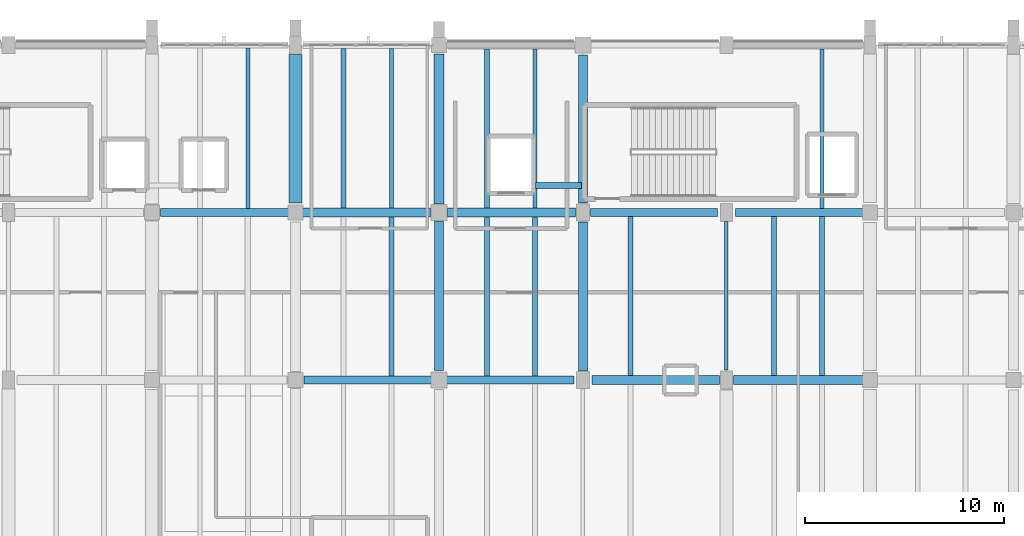
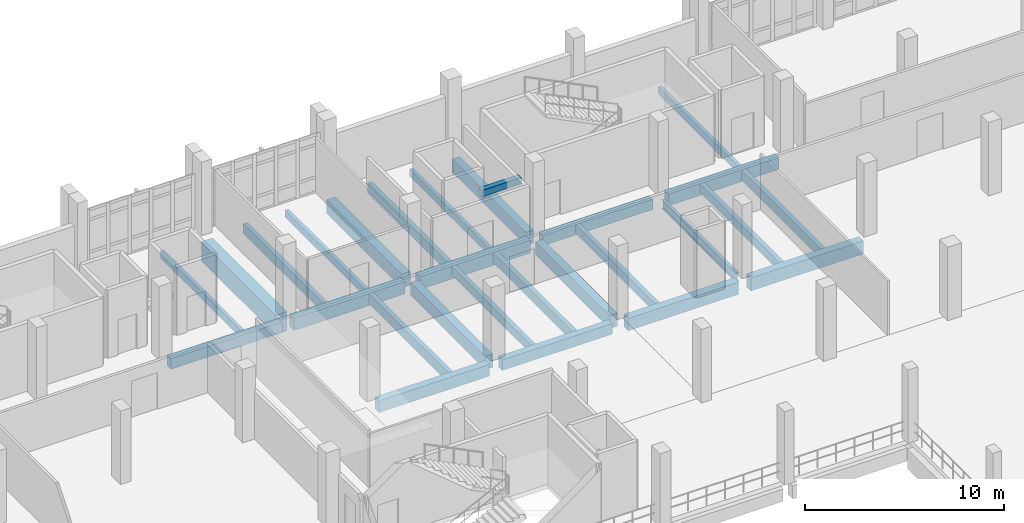
# One storey, part 64 of 124: 28 beams.
"""IFC4 building model written with IfcOpenShell, lengths in metres."""

from ifc_helpers import new_model, si_unit, direction, frame, origin, origin_2d, place, context, subcontext, project, spatial, rectangle, i_section, extrude, material, material_profile, profile_set, type_object, element, save


model = new_model("IFC4")

# Units and contexts
model_context = context("Model", 3, precision=1e-05, world=origin(), true_north=direction((0.0, 1.0)))
body_context = subcontext(model_context, "Body", "Model", "MODEL_VIEW")
ifc_project = project(units=[si_unit("LENGTHUNIT", "METRE"), si_unit("AREAUNIT", "SQUARE_METRE"), si_unit("VOLUMEUNIT", "CUBIC_METRE"), si_unit("PLANEANGLEUNIT", "RADIAN"), si_unit("MASSUNIT", "GRAM", prefix="KILO")], contexts=[model_context])

# Site, building, storey
site_placement = place(None, origin())
site = spatial("IfcSite", under=ifc_project, at=site_placement, CompositionType="ELEMENT")
building_placement = place(site_placement, origin())
building = spatial("IfcBuilding", under=site, at=building_placement, Name="Kalluvel Institute of Natural Sciences", CompositionType="ELEMENT")
storey_placement = place(building_placement, frame((0.0, 0.0, 9.89990234375)))
storey = spatial("IfcBuildingStorey", under=building, at=storey_placement, Name="L02", CompositionType="ELEMENT", Elevation=9.89990234375)

# Beams
ifc_material_1 = material(Name="Steel E350 Grade 350", Category="steel")
ifc_material_profile_1 = material_profile(ifc_material_1, i_section(OverallWidth=0.18994140625, OverallDepth=0.550048828125, WebThickness=0.01123046875, FlangeThickness=0.019287109375, FilletRadius=0.01806640625, at=origin_2d()), Name="ISMB 550")
ifc_profile_set_1 = profile_set([ifc_material_profile_1], Name="Steel E350 Grade 350")
beam_type_1 = type_object("IfcBeamType", Name="BM-ISMB550", PredefinedType="BEAM", material=ifc_profile_set_1)
beam_1_placement = place(storey_placement, frame((71.60009765625, 111.699951171875, -0.594970703125), z_axis=(0.0, 1.0, 0.0), x_axis=(-1.0, 0.0, 0.0)))
element("IfcBeam", 1, at=beam_1_placement, inside=storey, type_object=beam_type_1, Name="L02 girder GIR-L02-NS-X716-Y1112", PredefinedType="BEAM", context=body_context, shape_type="SweptSolid", body=[
    extrude(i_section(OverallWidth=0.18994140625, OverallDepth=0.550048828125, WebThickness=0.01123046875, FlangeThickness=0.019287109375, FilletRadius=0.01806640625, at=origin_2d()), origin(), (0.0, 0.0, 1.0), 7.449951171875),
])
ifc_material_2 = material(Name="Concrete M40", Category="concrete")
ifc_material_profile_2 = material_profile(ifc_material_2, rectangle(XDim=0.3798828125, YDim=0.639892578125, at=origin_2d()), Name="RCB 380x640")
ifc_profile_set_2 = profile_set([ifc_material_profile_2], Name="Concrete M40")
beam_type_2 = type_object("IfcBeamType", Name="BM-RC380x640", PredefinedType="BEAM", material=ifc_profile_set_2)
beam_2_placement = place(storey_placement, frame((64.77490234375, 119.60009765625, -0.639892578125), z_axis=(1.0, 0.0, 0.0), x_axis=(0.0, 1.0, 0.0)))
element("IfcBeam", 2, at=beam_2_placement, inside=storey, type_object=beam_type_2, Name="L02 girder GIR-L02-EW-X644-Y1196", PredefinedType="BEAM", context=body_context, shape_type="SweptSolid", body=[
    extrude(rectangle(XDim=0.3798828125, YDim=0.639892578125, at=origin_2d()), origin(), (0.0, 0.0, 1.0), 6.375),
])
ifc_material_profile_3 = material_profile(ifc_material_2, rectangle(XDim=0.39990234375, YDim=0.64990234375, at=origin_2d()), Name="RCB 400x650")
ifc_profile_set_3 = profile_set([ifc_material_profile_3], Name="Concrete M40")
beam_type_3 = type_object("IfcBeamType", Name="BM-RC400x650", PredefinedType="BEAM", material=ifc_profile_set_3)
beam_3_placement = place(storey_placement, frame((57.574951171875, 111.199951171875, -0.64501953125), z_axis=(1.0, 0.0, 0.0), x_axis=(0.0, 1.0, 0.0)))
element("IfcBeam", 3, at=beam_3_placement, inside=storey, type_object=beam_type_3, Name="L02 girder GIR-L02-EW-X572-Y1112", PredefinedType="BEAM", context=body_context, shape_type="SweptSolid", body=[
    extrude(rectangle(XDim=0.39990234375, YDim=0.64990234375, at=origin_2d()), origin(), (0.0, 0.0, 1.0), 6.375),
])
beam_4_placement = place(storey_placement, frame((43.22509765625, 119.60009765625, -0.64501953125), z_axis=(1.0, 0.0, 0.0), x_axis=(0.0, 1.0, 0.0)))
element("IfcBeam", 4, at=beam_4_placement, inside=storey, type_object=beam_type_3, Name="L02 girder GIR-L02-EW-X428-Y1196", PredefinedType="BEAM", context=body_context, shape_type="SweptSolid", body=[
    extrude(rectangle(XDim=0.39990234375, YDim=0.64990234375, at=origin_2d()), origin(), (0.0, 0.0, 1.0), 6.449951171875),
])
ifc_material_profile_4 = material_profile(ifc_material_2, rectangle(XDim=0.419921875, YDim=0.719970703125, at=origin_2d()), Name="RCB 420x720")
ifc_profile_set_4 = profile_set([ifc_material_profile_4], Name="Concrete M40")
beam_type_4 = type_object("IfcBeamType", Name="BM-RC420x720", PredefinedType="BEAM", material=ifc_profile_set_4)
for number, where, z_axis, x_axis, name in (
    (5, (50.425048828125, 111.199951171875, -0.679931640625), (1.0, 0.0, 0.0), (0.0, 1.0, 0.0), "L02 girder GIR-L02-EW-X500-Y1112"),
    (6, (72.050048828125, 119.60009765625, -0.679931640625), (1.0, 0.0, 0.0), (0.0, 1.0, 0.0), "L02 girder GIR-L02-EW-X716-Y1196"),
):
    element("IfcBeam", number, at=place(storey_placement, frame(where, z_axis=z_axis, x_axis=x_axis)), inside=storey, type_object=beam_type_4, Name=name, PredefinedType="BEAM", context=body_context, shape_type="SweptSolid", body=[
        extrude(rectangle(XDim=0.419921875, YDim=0.719970703125, at=origin_2d()), origin(), (0.0, 0.0, 1.0), 6.39990234375),
    ])
ifc_material_profile_5 = material_profile(ifc_material_2, rectangle(XDim=0.449951171875, YDim=0.75, at=origin_2d()), Name="RCB 450x750")
ifc_profile_set_5 = profile_set([ifc_material_profile_5], Name="Concrete M40")
beam_type_5 = type_object("IfcBeamType", Name="BM-RC450x750", PredefinedType="BEAM", material=ifc_profile_set_5)
beam_5_placement = place(storey_placement, frame((64.85009765625, 111.199951171875, -0.69482421875), z_axis=(1.0, 0.0, 0.0), x_axis=(0.0, 1.0, 0.0)))
element("IfcBeam", 7, at=beam_5_placement, inside=storey, type_object=beam_type_5, Name="L02 girder GIR-L02-EW-X644-Y1112", PredefinedType="BEAM", context=body_context, shape_type="SweptSolid", body=[
    extrude(rectangle(XDim=0.449951171875, YDim=0.75, at=origin_2d()), origin(), (0.0, 0.0, 1.0), 6.39990234375),
])
beam_6_placement = place(storey_placement, frame((50.324951171875, 119.60009765625, -0.69482421875), z_axis=(1.0, 0.0, 0.0), x_axis=(0.0, 1.0, 0.0)))
element("IfcBeam", 8, at=beam_6_placement, inside=storey, type_object=beam_type_5, Name="L02 girder GIR-L02-EW-X500-Y1196", PredefinedType="BEAM", context=body_context, shape_type="SweptSolid", body=[
    extrude(rectangle(XDim=0.449951171875, YDim=0.75, at=origin_2d()), origin(), (0.0, 0.0, 1.0), 6.449951171875),
])
ifc_material_profile_6 = material_profile(ifc_material_2, rectangle(XDim=0.449951171875, YDim=0.800048828125, at=origin_2d()), Name="RCB 450x800")
ifc_profile_set_6 = profile_set([ifc_material_profile_6], Name="Concrete M40")
beam_type_6 = type_object("IfcBeamType", Name="BM-RC450x800", PredefinedType="BEAM", material=ifc_profile_set_6)
beam_7_placement = place(storey_placement, frame((71.949951171875, 111.199951171875, -0.719970703125), z_axis=(1.0, 0.0, 0.0), x_axis=(0.0, 1.0, 0.0)))
element("IfcBeam", 9, at=beam_7_placement, inside=storey, type_object=beam_type_6, Name="L02 girder GIR-L02-EW-X716-Y1112", PredefinedType="BEAM", context=body_context, shape_type="SweptSolid", body=[
    extrude(rectangle(XDim=0.449951171875, YDim=0.800048828125, at=origin_2d()), origin(), (0.0, 0.0, 1.0), 6.525146484375),
])
beam_8_placement = place(storey_placement, frame((57.625, 119.60009765625, -0.719970703125), z_axis=(1.0, 0.0, 0.0), x_axis=(0.0, 1.0, 0.0)))
element("IfcBeam", 10, at=beam_8_placement, inside=storey, type_object=beam_type_6, Name="L02 girder GIR-L02-EW-X572-Y1196", PredefinedType="BEAM", context=body_context, shape_type="SweptSolid", body=[
    extrude(rectangle(XDim=0.449951171875, YDim=0.800048828125, at=origin_2d()), origin(), (0.0, 0.0, 1.0), 6.39990234375),
])
beam_9_placement = place(storey_placement, frame((57.199951171875, 111.675048828125, -0.719970703125), z_axis=(0.0, 1.0, 0.0), x_axis=(-1.0, 0.0, 0.0)))
element("IfcBeam", 11, at=beam_9_placement, inside=storey, type_object=beam_type_6, Name="L02 girder GIR-L02-NS-X572-Y1112", PredefinedType="BEAM", context=body_context, shape_type="SweptSolid", body=[
    extrude(rectangle(XDim=0.449951171875, YDim=0.800048828125, at=origin_2d()), origin(), (0.0, 0.0, 1.0), 7.5),
])
beam_10_placement = place(storey_placement, frame((64.39990234375, 111.64990234375, -0.719970703125), z_axis=(0.0, 1.0, 0.0), x_axis=(-1.0, 0.0, 0.0)))
element("IfcBeam", 12, at=beam_10_placement, inside=storey, type_object=beam_type_6, Name="L02 girder GIR-L02-NS-X644-Y1112", PredefinedType="BEAM", context=body_context, shape_type="SweptSolid", body=[
    extrude(rectangle(XDim=0.449951171875, YDim=0.800048828125, at=origin_2d()), origin(), (0.0, 0.0, 1.0), 7.47509765625),
])
beam_11_placement = place(storey_placement, frame((64.39990234375, 120.074951171875, -0.719970703125), z_axis=(0.0, 1.0, 0.0), x_axis=(-1.0, 0.0, 0.0)))
element("IfcBeam", 13, at=beam_11_placement, inside=storey, type_object=beam_type_6, Name="L02 girder GIR-L02-NS-X644-Y1196", PredefinedType="BEAM", context=body_context, shape_type="SweptSolid", body=[
    extrude(rectangle(XDim=0.449951171875, YDim=0.800048828125, at=origin_2d()), origin(), (0.0, 0.0, 1.0), 7.425048828125),
])
ifc_material_3 = material(Name="Concrete M50", Category="concrete")
ifc_material_profile_7 = material_profile(ifc_material_3, rectangle(XDim=0.5, YDim=0.85009765625, at=origin_2d()), Name="RCB 500x850")
ifc_profile_set_7 = profile_set([ifc_material_profile_7], Name="Concrete M50")
beam_type_7 = type_object("IfcBeamType", Name="BM-RC500x850", PredefinedType="BEAM", material=ifc_profile_set_7)
beam_12_placement = place(storey_placement, frame((57.199951171875, 120.02490234375, -0.744873046875), z_axis=(0.0, 1.0, 0.0), x_axis=(-1.0, 0.0, 0.0)))
element("IfcBeam", 14, at=beam_12_placement, inside=storey, type_object=beam_type_7, Name="L02 girder GIR-L02-NS-X572-Y1196", PredefinedType="BEAM", context=body_context, shape_type="SweptSolid", body=[
    extrude(rectangle(XDim=0.5, YDim=0.85009765625, at=origin_2d()), origin(), (0.0, 0.0, 1.0), 7.525146484375),
])
ifc_material_profile_8 = material_profile(ifc_material_3, rectangle(XDim=0.64990234375, YDim=1.199951171875, at=origin_2d()), Name="RCB 650x1200")
ifc_profile_set_8 = profile_set([ifc_material_profile_8], Name="Concrete M50")
beam_type_8 = type_object("IfcBeamType", Name="BM-RC650x1200", PredefinedType="BEAM", material=ifc_profile_set_8)
beam_13_placement = place(storey_placement, frame((50.0, 120.074951171875, -0.919921875), z_axis=(0.0, 1.0, 0.0), x_axis=(-1.0, 0.0, 0.0)))
element("IfcBeam", 15, at=beam_13_placement, inside=storey, type_object=beam_type_8, Name="L02 girder GIR-L02-NS-X500-Y1196", PredefinedType="BEAM", context=body_context, shape_type="SweptSolid", body=[
    extrude(rectangle(XDim=0.64990234375, YDim=1.199951171875, at=origin_2d()), origin(), (0.0, 0.0, 1.0), 7.449951171875),
])
ifc_material_4 = material(Name="Sadarahalli Granite Precast Concrete M45", Category="masonry")
ifc_material_profile_9 = material_profile(ifc_material_4, rectangle(XDim=0.300048828125, YDim=0.39990234375, at=origin_2d()), Name="LIN 300x400")
ifc_profile_set_9 = profile_set([ifc_material_profile_9], Name="Sadarahalli Granite Precast Concrete M45")
beam_type_9 = type_object("IfcBeamType", Name="LN-300x400-EXT", PredefinedType="LINTEL", material=ifc_profile_set_9)
beam_14_placement = place(storey_placement, frame((62.0400390625, 120.949951171875, 2.35009765625), z_axis=(1.0, 0.0, 0.0), x_axis=(0.0, 1.0, 0.0)))
element("IfcBeam", 16, at=beam_14_placement, inside=storey, type_object=beam_type_9, Name="L02 core coupling lintel B", PredefinedType="LINTEL", context=body_context, shape_type="SweptSolid", body=[
    extrude(rectangle(XDim=0.300048828125, YDim=0.39990234375, at=origin_2d()), origin(), (0.0, 0.0, 1.0), 2.2900390625),
])
ifc_material_profile_10 = material_profile(ifc_material_2, rectangle(XDim=0.199951171875, YDim=0.4599609375, at=origin_2d()), Name="WAF 200x460")
ifc_profile_set_10 = profile_set([ifc_material_profile_10], Name="Concrete M40")
beam_type_10 = type_object("IfcBeamType", Name="WJ-200x460", PredefinedType="JOIST", material=ifc_profile_set_10)
beam_15_placement = place(storey_placement, frame((47.60009765625, 119.800048828125, -0.5498046875), z_axis=(0.0, 1.0, 0.0), x_axis=(-1.0, 0.0, 0.0)))
element("IfcBeam", 17, at=beam_15_placement, inside=storey, type_object=beam_type_10, Name="L02 waffle joist RIB-L02-0168", PredefinedType="JOIST", context=body_context, shape_type="SweptSolid", body=[
    extrude(rectangle(XDim=0.199951171875, YDim=0.4599609375, at=origin_2d()), origin(), (0.0, 0.0, 1.0), 8.050048828125),
])
beam_16_placement = place(storey_placement, frame((54.800048828125, 119.824951171875, -0.5498046875), z_axis=(0.0, 1.0, 0.0), x_axis=(-1.0, 0.0, 0.0)))
element("IfcBeam", 18, at=beam_16_placement, inside=storey, type_object=beam_type_10, Name="L02 waffle joist RIB-L02-0174", PredefinedType="JOIST", context=body_context, shape_type="SweptSolid", body=[
    extrude(rectangle(XDim=0.199951171875, YDim=0.4599609375, at=origin_2d()), origin(), (0.0, 0.0, 1.0), 8.0),
])
beam_17_placement = place(storey_placement, frame((62.0, 119.824951171875, -0.5498046875), z_axis=(0.0, 1.0, 0.0), x_axis=(-1.0, 0.0, 0.0)))
element("IfcBeam", 19, at=beam_17_placement, inside=storey, type_object=beam_type_10, Name="L02 waffle joist RIB-L02-0180", PredefinedType="JOIST", context=body_context, shape_type="SweptSolid", body=[
    extrude(rectangle(XDim=0.199951171875, YDim=0.4599609375, at=origin_2d()), origin(), (0.0, 0.0, 1.0), 7.97509765625),
])
beam_18_placement = place(storey_placement, frame((76.39990234375, 119.81005859375, -0.5498046875), z_axis=(0.0, 1.0, 0.0), x_axis=(-1.0, 0.0, 0.0)))
element("IfcBeam", 20, at=beam_18_placement, inside=storey, type_object=beam_type_10, Name="L02 waffle joist RIB-L02-0187", PredefinedType="JOIST", context=body_context, shape_type="SweptSolid", body=[
    extrude(rectangle(XDim=0.199951171875, YDim=0.4599609375, at=origin_2d()), origin(), (0.0, 0.0, 1.0), 7.989990234375),
])
ifc_material_profile_11 = material_profile(ifc_material_2, rectangle(XDim=0.25, YDim=0.550048828125, at=origin_2d()), Name="WAF 250x550")
ifc_profile_set_11 = profile_set([ifc_material_profile_11], Name="Concrete M40")
beam_type_11 = type_object("IfcBeamType", Name="WJ-250x550", PredefinedType="JOIST", material=ifc_profile_set_11)
beam_19_placement = place(storey_placement, frame((59.60009765625, 111.39990234375, -0.594970703125), z_axis=(0.0, 1.0, 0.0), x_axis=(-1.0, 0.0, 0.0)))
element("IfcBeam", 21, at=beam_19_placement, inside=storey, type_object=beam_type_11, Name="L02 waffle joist RIB-L02-0177", PredefinedType="JOIST", context=body_context, shape_type="SweptSolid", body=[
    extrude(rectangle(XDim=0.25, YDim=0.550048828125, at=origin_2d()), origin(), (0.0, 0.0, 1.0), 7.97509765625),
])
beam_20_placement = place(storey_placement, frame((66.800048828125, 111.425048828125, -0.594970703125), z_axis=(0.0, 1.0, 0.0), x_axis=(-1.0, 0.0, 0.0)))
element("IfcBeam", 22, at=beam_20_placement, inside=storey, type_object=beam_type_11, Name="L02 waffle joist RIB-L02-0182", PredefinedType="JOIST", context=body_context, shape_type="SweptSolid", body=[
    extrude(rectangle(XDim=0.25, YDim=0.550048828125, at=origin_2d()), origin(), (0.0, 0.0, 1.0), 7.98486328125),
])
beam_21_placement = place(storey_placement, frame((74.0, 111.425048828125, -0.594970703125), z_axis=(0.0, 1.0, 0.0), x_axis=(-1.0, 0.0, 0.0)))
element("IfcBeam", 23, at=beam_21_placement, inside=storey, type_object=beam_type_11, Name="L02 waffle joist RIB-L02-0185", PredefinedType="JOIST", context=body_context, shape_type="SweptSolid", body=[
    extrude(rectangle(XDim=0.25, YDim=0.550048828125, at=origin_2d()), origin(), (0.0, 0.0, 1.0), 7.96484375),
])
ifc_material_profile_12 = material_profile(ifc_material_2, rectangle(XDim=0.25, YDim=0.60009765625, at=origin_2d()), Name="WAF 250x600")
ifc_profile_set_12 = profile_set([ifc_material_profile_12], Name="Concrete M40")
beam_type_12 = type_object("IfcBeamType", Name="WJ-250x600", PredefinedType="JOIST", material=ifc_profile_set_12)
beam_22_placement = place(storey_placement, frame((52.39990234375, 119.824951171875, -0.619873046875), z_axis=(0.0, 1.0, 0.0), x_axis=(-1.0, 0.0, 0.0)))
element("IfcBeam", 24, at=beam_22_placement, inside=storey, type_object=beam_type_12, Name="L02 waffle joist RIB-L02-0173", PredefinedType="JOIST", context=body_context, shape_type="SweptSolid", body=[
    extrude(rectangle(XDim=0.25, YDim=0.60009765625, at=origin_2d()), origin(), (0.0, 0.0, 1.0), 8.0),
])
ifc_material_profile_13 = material_profile(ifc_material_3, rectangle(XDim=0.260009765625, YDim=0.6201171875, at=origin_2d()), Name="WAF 260x620")
ifc_profile_set_13 = profile_set([ifc_material_profile_13], Name="Concrete M50")
beam_type_13 = type_object("IfcBeamType", Name="WJ-260x620", PredefinedType="JOIST", material=ifc_profile_set_13)
beam_23_placement = place(storey_placement, frame((54.800048828125, 111.409912109375, -0.6298828125), z_axis=(0.0, 1.0, 0.0), x_axis=(-1.0, 0.0, 0.0)))
element("IfcBeam", 25, at=beam_23_placement, inside=storey, type_object=beam_type_13, Name="L02 waffle joist RIB-L02-0172", PredefinedType="JOIST", context=body_context, shape_type="SweptSolid", body=[
    extrude(rectangle(XDim=0.260009765625, YDim=0.6201171875, at=origin_2d()), origin(), (0.0, 0.0, 1.0), 7.965087890625),
])
for number, where, z_axis, x_axis, name in (
    (26, (62.0, 111.39990234375, -0.6298828125), (0.0, 1.0, 0.0), (-1.0, 0.0, 0.0), "L02 waffle joist RIB-L02-0178"),
    (27, (59.60009765625, 119.824951171875, -0.6298828125), (0.0, 1.0, 0.0), (-1.0, 0.0, 0.0), "L02 waffle joist RIB-L02-0179"),
):
    element("IfcBeam", number, at=place(storey_placement, frame(where, z_axis=z_axis, x_axis=x_axis)), inside=storey, type_object=beam_type_13, Name=name, PredefinedType="JOIST", context=body_context, shape_type="SweptSolid", body=[
        extrude(rectangle(XDim=0.260009765625, YDim=0.6201171875, at=origin_2d()), origin(), (0.0, 0.0, 1.0), 7.97509765625),
    ])
beam_24_placement = place(storey_placement, frame((76.39990234375, 111.425048828125, -0.6298828125), z_axis=(0.0, 1.0, 0.0), x_axis=(-1.0, 0.0, 0.0)))
element("IfcBeam", 28, at=beam_24_placement, inside=storey, type_object=beam_type_13, Name="L02 waffle joist RIB-L02-0186", PredefinedType="JOIST", context=body_context, shape_type="SweptSolid", body=[
    extrude(rectangle(XDim=0.260009765625, YDim=0.6201171875, at=origin_2d()), origin(), (0.0, 0.0, 1.0), 7.96484375),
])

save(model, "model.ifc")
